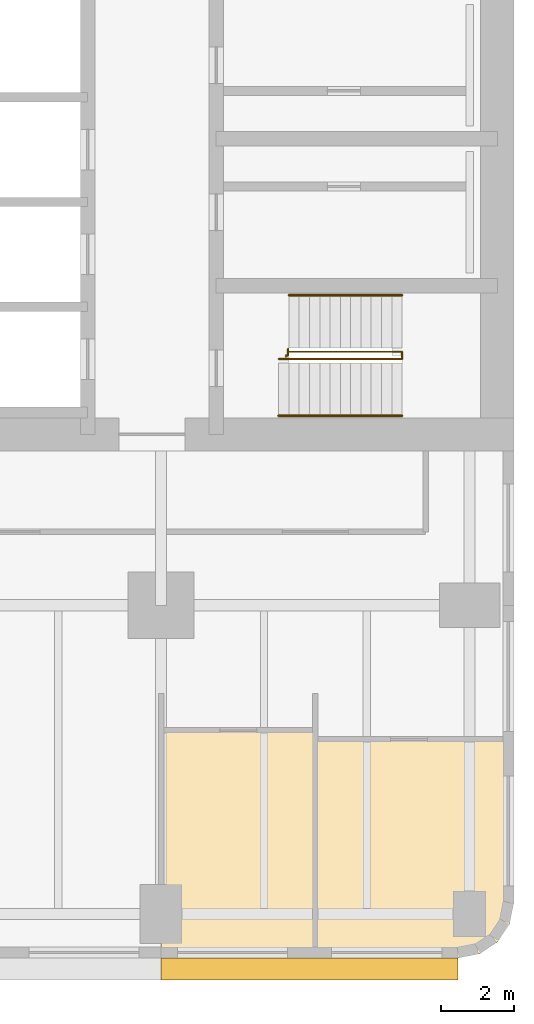
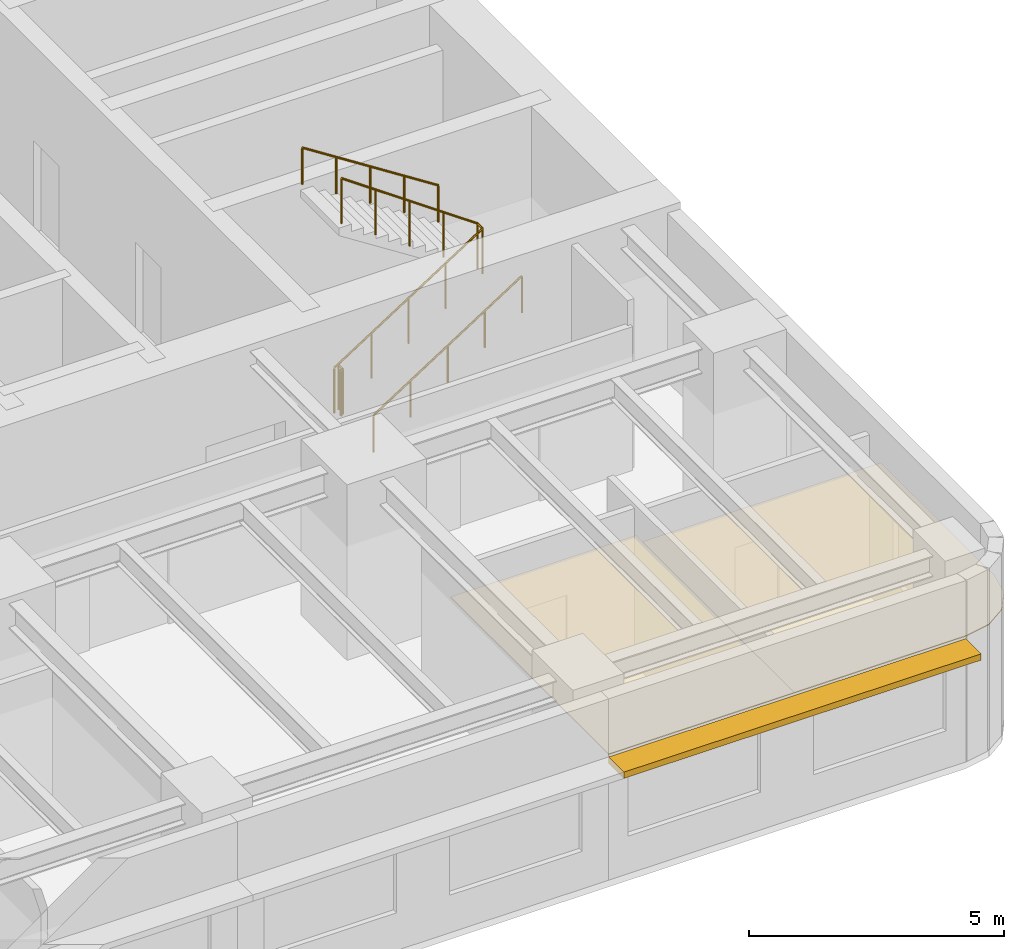
# One storey, part 11 of 14: 4 railings, 2 coverings, 1 shading device.
"""IFC4 building model written with IfcOpenShell, lengths in metres."""

import ifcopenshell
import ifcopenshell.guid

model = None  # the IFC model being written
_history = None  # IfcOwnerHistory: only IFC2X3 demands one
_inside = {}  # id of a spatial element -> (the spatial element, [elements in it])
_under = {}  # id of a project, library or spatial element -> (it, [spatial elements below it])
_declared = {}  # id of a project -> (the project, [libraries it declares])
_typed = {}  # id of a type object -> (the type object, [elements of that type])
_made_of = {}  # id of a material, layer set ... -> (it, [elements and type objects made of it])


def new_model(schema):
    """Start an empty IFC model of exactly this schema.

    Asked for "IFC4X3", IfcOpenShell would pick the latest addendum, in which some entities
    have other attributes; the version numbers below select the first issue.
    IFC2X3 requires an IfcOwnerHistory on every rooted entity: one is made here for all.
    """
    global model, _history
    if schema == "IFC4X3":
        model = ifcopenshell.file(schema_version=(4, 3, 0, 0))
    else:
        model = ifcopenshell.file(schema=schema)
    _inside.clear()
    _under.clear()
    _declared.clear()
    _typed.clear()
    _made_of.clear()
    _history = None
    if model.schema == "IFC2X3":
        org = make("IfcOrganization", Name="unknown")
        user = make(
            "IfcPersonAndOrganization",
            ThePerson=make("IfcPerson", FamilyName="unknown"),
            TheOrganization=org,
        )
        app = make(
            "IfcApplication",
            ApplicationDeveloper=org,
            Version="unknown",
            ApplicationFullName="unknown",
            ApplicationIdentifier="unknown",
        )
        _history = make(
            "IfcOwnerHistory",
            OwningUser=user,
            OwningApplication=app,
            ChangeAction="ADDED",
            CreationDate=0,
        )
    return model


def make(cls, **values):
    """One entity of the class cls with the attributes given. An attribute that is None is left unset."""
    return model.create_entity(
        cls, **{name: value for name, value in values.items() if value is not None}
    )


def rooted(cls, **values):
    """An entity with a GlobalId (a new one), such as an element, a storey or a relation."""
    return make(cls, GlobalId=ifcopenshell.guid.new(), OwnerHistory=_history, **values)


def si_unit(unit_type, name, prefix=None):
    """IfcSIUnit, for example si_unit("LENGTHUNIT", "METRE", prefix="MILLI")."""
    return make("IfcSIUnit", UnitType=unit_type, Prefix=prefix, Name=name)


def assignment(units):
    """IfcUnitAssignment: the units of a project."""
    return None if units is None else make("IfcUnitAssignment", Units=units)


def point(xyz):
    """IfcCartesianPoint."""
    return None if xyz is None else make("IfcCartesianPoint", Coordinates=xyz)


def direction(xyz):
    """IfcDirection."""
    return None if xyz is None else make("IfcDirection", DirectionRatios=xyz)


def frame(location, z_axis=None, x_axis=None):
    """IfcAxis2Placement3D, a coordinate frame: its origin and axes. An axis left out is left unset."""
    return make(
        "IfcAxis2Placement3D",
        Location=point(location),
        Axis=direction(z_axis),
        RefDirection=direction(x_axis),
    )


def frame_2d(location, x_axis=None):
    """IfcAxis2Placement2D, a coordinate frame in the plane: its origin and x axis."""
    return make(
        "IfcAxis2Placement2D", Location=point(location), RefDirection=direction(x_axis)
    )


def origin():
    """The frame at (0, 0, 0) with its axes left unset."""
    return frame((0.0, 0.0, 0.0))


def origin_2d():
    """The frame at (0, 0) in the plane with its x axis left unset."""
    return frame_2d((0.0, 0.0))


def place(relative_to, where):
    """IfcLocalPlacement: puts the frame where relative to a parent placement (None: the world)."""
    return make(
        "IfcLocalPlacement", PlacementRelTo=relative_to, RelativePlacement=where
    )


def context(
    kind, dimensions, precision=None, world=None, true_north=None, identifier=None
):
    """IfcGeometricRepresentationContext, for example the 3D "Model" context."""
    return make(
        "IfcGeometricRepresentationContext",
        ContextIdentifier=identifier,
        ContextType=kind,
        CoordinateSpaceDimension=dimensions,
        Precision=precision,
        WorldCoordinateSystem=world,
        TrueNorth=true_north,
    )


def subcontext(parent, identifier, kind, view, scale=None):
    """IfcGeometricRepresentationSubContext, for example "Body" below "Model"."""
    return make(
        "IfcGeometricRepresentationSubContext",
        ContextIdentifier=identifier,
        ContextType=kind,
        ParentContext=parent,
        TargetScale=scale,
        TargetView=view,
    )


def project(units=None, contexts=None):
    """IfcProject with its units and contexts."""
    return rooted(
        "IfcProject",
        Name="project",
        RepresentationContexts=contexts,
        UnitsInContext=assignment(units),
    )


def spatial(cls, under=None, at=None, **own):
    """A site, building, storey or space (cls), placed at a placement, below another one or the project."""
    s = rooted(cls, ObjectPlacement=at, **own)
    if under is not None:
        _under.setdefault(under.id(), (under, []))[1].append(s)
    return s


def polyline(points):
    """IfcPolyline through the points."""
    return make("IfcPolyline", Points=[point(p) for p in points])


def profile(cls, at=None, kind="AREA", **sizes):
    """A parametric profile (cls). Its sizes go by their IFC names, for example OverallWidth=200.0."""
    return make(cls, ProfileType=kind, Position=at, **sizes)


def rectangle(**sizes):
    """IfcRectangleProfileDef."""
    return profile("IfcRectangleProfileDef", **sizes)


def circle(**sizes):
    """IfcCircleProfileDef."""
    return profile("IfcCircleProfileDef", **sizes)


def outline(outer, holes=None, kind="AREA"):
    """IfcArbitraryClosedProfileDef: a profile drawn as a closed curve; with holes, ...WithVoids."""
    if holes is None:
        return make("IfcArbitraryClosedProfileDef", ProfileType=kind, OuterCurve=outer)
    return make(
        "IfcArbitraryProfileDefWithVoids",
        ProfileType=kind,
        OuterCurve=outer,
        InnerCurves=holes,
    )


def extrude(swept, where, along, depth):
    """IfcExtrudedAreaSolid: the profile swept, set in the frame where, extruded along a direction by depth."""
    return make(
        "IfcExtrudedAreaSolid",
        SweptArea=swept,
        Position=where,
        ExtrudedDirection=direction(along),
        Depth=depth,
    )


def shape(context_of_items, identifier, shape_type, items):
    """IfcShapeRepresentation: the items that make up one representation, for example the "Body"."""
    return make(
        "IfcShapeRepresentation",
        ContextOfItems=context_of_items,
        RepresentationIdentifier=identifier,
        RepresentationType=shape_type,
        Items=items,
    )


def material(Name=None, Category=None):
    """IfcMaterial."""
    return make("IfcMaterial", Name=Name, Category=Category)


def layer(
    of_material, thickness, ventilated=None, Name=None, Category=None, Priority=None
):
    """IfcMaterialLayer: one layer of a wall or slab, of a material (None: an air gap)."""
    return make(
        "IfcMaterialLayer",
        Material=of_material,
        LayerThickness=thickness,
        IsVentilated=ventilated,
        Name=Name,
        Category=Category,
        Priority=Priority,
    )


def layer_set(layers, Name=None):
    """IfcMaterialLayerSet."""
    return make("IfcMaterialLayerSet", MaterialLayers=layers, LayerSetName=Name)


def made_of(thing, what):
    """Note that an element or type object is made of a material, layer set ...; save() writes the relation."""
    if what is not None:
        _made_of.setdefault(what.id(), (what, []))[1].append(thing)
    return thing


def type_object(cls, material=None, **own):
    """A type object (cls), such as IfcWallType, which elements share."""
    return made_of(rooted(cls, **own), material)


def element(
    cls,
    number,
    at=None,
    inside=None,
    cuts=None,
    type_object=None,
    material=None,
    context=None,
    identifier="Body",
    shape_type=None,
    held_by="IfcProductDefinitionShape",
    body=None,
    shapes=None,
    **own,
):
    """One element of the class cls, such as IfcWall. Its Tag is "e" and its number.

    at: its placement. inside: the storey or other place that contains it. cuts: it is an
    opening in that element (IfcRelVoidsElement). A single representation is given by context,
    identifier, shape_type and body (its items); several are given by shapes. held_by: the class
    of the entity that holds the representations. save() writes the other relations.
    """
    e = rooted(cls, Tag="e%d" % number, ObjectPlacement=at, **own)
    if body is not None:
        shapes = [shape(context, identifier, shape_type, body)]
    if shapes is not None:
        e.Representation = make(held_by, Representations=shapes)
    if inside is not None:
        _inside.setdefault(inside.id(), (inside, []))[1].append(e)
    if cuts is not None:
        rooted(
            "IfcRelVoidsElement", RelatingBuildingElement=cuts, RelatedOpeningElement=e
        )
    if type_object is not None:
        _typed.setdefault(type_object.id(), (type_object, []))[1].append(e)
    return made_of(e, material)


def aggregate(whole, parts):
    """IfcRelAggregates: a whole, such as a stair, and the parts it consists of."""
    return rooted("IfcRelAggregates", RelatingObject=whole, RelatedObjects=parts)


def save(model, path):
    """Write the relations noted so far, then the file.

    IfcRelAggregates (storeys below a building ...), IfcRelContainedInSpatialStructure (elements
    in a storey), IfcRelDefinesByType, IfcRelAssociatesMaterial and IfcRelDeclares: one each for
    every whole, place, type object, material and project.
    """
    for whole, parts in _under.values():
        aggregate(whole, parts)
    for where, things in _inside.values():
        rooted(
            "IfcRelContainedInSpatialStructure",
            RelatedElements=things,
            RelatingStructure=where,
        )
    for kind, things in _typed.values():
        rooted("IfcRelDefinesByType", RelatedObjects=things, RelatingType=kind)
    for what, things in _made_of.values():
        rooted("IfcRelAssociatesMaterial", RelatedObjects=things, RelatingMaterial=what)
    for by, libraries in _declared.values():
        rooted("IfcRelDeclares", RelatingContext=by, RelatedDefinitions=libraries)
    model.write(path)


model = new_model("IFC4")

# Units and contexts
model_context = context("Model", 3, precision=1e-05, world=origin(), true_north=direction((0.0, 1.0)))
body_context = subcontext(model_context, "Body", "Model", "MODEL_VIEW")
ifc_project = project(units=[si_unit("LENGTHUNIT", "METRE"), si_unit("AREAUNIT", "SQUARE_METRE"), si_unit("VOLUMEUNIT", "CUBIC_METRE"), si_unit("PLANEANGLEUNIT", "RADIAN"), si_unit("MASSUNIT", "GRAM", prefix="KILO")], contexts=[model_context])

# Site, building, storey
site_placement = place(None, origin())
site = spatial("IfcSite", under=ifc_project, at=site_placement, CompositionType="ELEMENT")
building_placement = place(site_placement, origin())
building = spatial("IfcBuilding", under=site, at=building_placement, Name="Claustro Exchange Tower", CompositionType="ELEMENT")
storey_placement = place(building_placement, frame((0.0, 0.0, 54.89990234375)))
storey = spatial("IfcBuildingStorey", under=building, at=storey_placement, Name="L12", CompositionType="ELEMENT", Elevation=54.89990234375)

# Coverings
ifc_material_1 = material(Name="Gypsum board ceiling", Category="gypsum board")
ifc_layer_1 = layer(ifc_material_1, 0.02490234375)
ifc_layer_set_1 = layer_set([ifc_layer_1], Name="Gypsum board ceiling")
covering_type = type_object("IfcCoveringType", Name="CL2 plasterboard ceiling", PredefinedType="CEILING", material=ifc_layer_set_1)
covering_1_placement = place(storey_placement, frame((0.0, 0.0, 3.0)))
element("IfcCovering", 1, at=covering_1_placement, inside=storey, type_object=covering_type, Name="Ceiling CL2 L12-01", PredefinedType="CEILING", context=body_context, shape_type="SweptSolid", body=[
    extrude(outline(polyline([(51.60009765625, 0.300048828125), (51.60009765625, 4.75), (46.199951171875, 4.75), (46.199951171875, -1.199951171875), (50.10009765625, -1.199951171875), (50.674072265625, -1.085693359375), (51.16064453125, -0.7607421875), (51.48583984375, -0.27392578125), (51.60009765625, 0.300048828125)])), origin(), (0.0, 0.0, 1.0), 0.025146484375),
])
covering_2_placement = place(storey_placement, frame((0.0, 0.0, 3.0)))
element("IfcCovering", 2, at=covering_2_placement, inside=storey, type_object=covering_type, Name="Ceiling CL2 L12-02", PredefinedType="CEILING", context=body_context, shape_type="SweptSolid", body=[
    extrude(outline(polyline([(42.0, -1.199951171875), (46.199951171875, -1.199951171875), (46.199951171875, 5.0), (42.0, 5.0), (42.0, -1.199951171875)])), origin(), (0.0, 0.0, 1.0), 0.025146484375),
])

# Railings
ifc_material_2 = material(Name="Steel balustrade, painted", Category="steel")
railing_type_1 = type_object("IfcRailingType", Name="GR2 1100 steel stair guard", PredefinedType="GUARDRAIL", material=ifc_material_2)
railing_1_placement = place(storey_placement, frame((45.199951171875, 15.10009765625, 0.18017578125)))
element("IfcRailing", 3, at=railing_1_placement, inside=storey, type_object=railing_type_1, Name="Stair well guard GR2 stair STEA L12", PredefinedType="GUARDRAIL", context=body_context, shape_type="SweptSolid", body=[
    extrude(circle(Radius=0.02392578125, at=origin_2d()), frame((0.0, 0.0, 1.076171875), z_axis=(0.84119634759, 0.0, 0.540729789082), x_axis=(0.0, 1.0, 0.0)), (0.0, 0.0, 1.0), 3.994384765625),
    extrude(circle(Radius=0.02392578125, at=origin_2d()), frame((3.360107421875, 0.0, 3.23583984375), z_axis=(0.0, 1.0, 0.0), x_axis=(-1.0, 0.0, 0.0)), (0.0, 0.0, 1.0), 0.199951171875),
    extrude(circle(Radius=0.02392578125, at=origin_2d()), frame((3.360107421875, 0.199951171875, 3.23583984375), z_axis=(-0.8187499073, 0.0, 0.574150319426), x_axis=(0.0, -1.0, 0.0)), (0.0, 0.0, 1.0), 3.761962890625),
    extrude(circle(Radius=0.02099609375, at=origin_2d()), origin(), (0.0, 0.0, 1.0), 1.052001953125),
    extrude(circle(Radius=0.02099609375, at=origin_2d()), frame((0.840087890625, 0.0, 0.5400390625)), (0.0, 0.0, 1.0), 1.052001953125),
    extrude(circle(Radius=0.02099609375, at=origin_2d()), frame((1.68017578125, 0.0, 1.080078125)), (0.0, 0.0, 1.0), 1.052001953125),
    extrude(circle(Radius=0.02099609375, at=origin_2d()), frame((2.52001953125, 0.0, 1.619873046875)), (0.0, 0.0, 1.0), 1.052001953125),
    extrude(circle(Radius=0.02099609375, at=origin_2d()), frame((3.360107421875, 0.0, 2.159912109375)), (0.0, 0.0, 1.0), 1.052001953125),
    extrude(circle(Radius=0.02099609375, at=origin_2d()), frame((3.360107421875, 0.199951171875, 2.159912109375)), (0.0, 0.0, 1.0), 1.052001953125),
    extrude(circle(Radius=0.02099609375, at=origin_2d()), frame((2.590087890625, 0.199951171875, 2.699951171875)), (0.0, 0.0, 1.0), 1.052001953125),
    extrude(circle(Radius=0.02099609375, at=origin_2d()), frame((1.820068359375, 0.199951171875, 3.23974609375)), (0.0, 0.0, 1.0), 1.052001953125),
    extrude(circle(Radius=0.02099609375, at=origin_2d()), frame((1.050048828125, 0.199951171875, 3.77978515625)), (0.0, 0.0, 1.0), 1.052001953125),
    extrude(circle(Radius=0.02099609375, at=origin_2d()), frame((0.280029296875, 0.199951171875, 4.31982421875)), (0.0, 0.0, 1.0), 1.052001953125),
])
railing_2_placement = place(storey_placement, frame((45.39990234375, 15.169921875, 0.0)))
element("IfcRailing", 4, at=railing_2_placement, inside=storey, type_object=railing_type_1, Name="Stair guard GR2 STEA L12", PredefinedType="GUARDRAIL", context=body_context, shape_type="SweptSolid", body=[
    extrude(circle(Radius=0.02392578125, at=origin_2d()), frame((0.0, 0.0, 1.076171875), z_axis=(0.0, 1.0, 0.0), x_axis=(-1.0, 0.0, 0.0)), (0.0, 0.0, 1.0), 0.030029296875),
    extrude(circle(Radius=0.02392578125, at=origin_2d()), frame((0.0, 0.030029296875, 1.076171875), z_axis=(1.0, 0.0, 0.0), x_axis=(0.0, 1.0, 0.0)), (0.0, 0.0, 1.0), 0.05517578125),
    extrude(circle(Radius=0.02392578125, at=origin_2d()), frame((0.05517578125, 0.030029296875, 1.076171875), z_axis=(0.0, 1.0, 0.0), x_axis=(-1.0, 0.0, 0.0)), (0.0, 0.0, 1.0), 0.179931640625),
    extrude(circle(Radius=0.02099609375, at=origin_2d()), origin(), (0.0, 0.0, 1.0), 1.052001953125),
    extrude(circle(Radius=0.02099609375, at=origin_2d()), frame((0.0, 0.030029296875, 0.0)), (0.0, 0.0, 1.0), 1.052001953125),
    extrude(circle(Radius=0.02099609375, at=origin_2d()), frame((0.05517578125, 0.030029296875, 0.0)), (0.0, 0.0, 1.0), 1.052001953125),
    extrude(circle(Radius=0.02099609375, at=origin_2d()), frame((0.05517578125, 0.2099609375, 0.0)), (0.0, 0.0, 1.0), 1.052001953125),
])
ifc_material_3 = material(Name="Stainless steel tube", Category="steel")
railing_type_2 = type_object("IfcRailingType", Name="HR1 900 stair handrail", PredefinedType="HANDRAIL", material=ifc_material_3)
railing_3_placement = place(storey_placement, frame((45.199951171875, 13.56005859375, 0.18017578125)))
element("IfcRailing", 5, at=railing_3_placement, inside=storey, type_object=railing_type_2, Name="Handrail HR1 stair STEA L12", PredefinedType="HANDRAIL", context=body_context, shape_type="SweptSolid", body=[
    extrude(circle(Radius=0.02392578125, at=origin_2d()), frame((0.0, 0.0, 0.8759765625), z_axis=(0.84119634759, 0.0, 0.540729789082), x_axis=(0.0, 1.0, 0.0)), (0.0, 0.0, 1.0), 3.994384765625),
    extrude(circle(Radius=0.02099609375, at=origin_2d()), origin(), (0.0, 0.0, 1.0), 0.851806640625),
    extrude(circle(Radius=0.02099609375, at=origin_2d()), frame((0.840087890625, 0.0, 0.5400390625)), (0.0, 0.0, 1.0), 0.851806640625),
    extrude(circle(Radius=0.02099609375, at=origin_2d()), frame((1.68017578125, 0.0, 1.080078125)), (0.0, 0.0, 1.0), 0.851806640625),
    extrude(circle(Radius=0.02099609375, at=origin_2d()), frame((2.52001953125, 0.0, 1.619873046875)), (0.0, 0.0, 1.0), 0.851806640625),
    extrude(circle(Radius=0.02099609375, at=origin_2d()), frame((3.360107421875, 0.0, 2.159912109375)), (0.0, 0.0, 1.0), 0.851806640625),
])
railing_4_placement = place(storey_placement, frame((48.56005859375, 16.840087890625, 2.52001953125)))
element("IfcRailing", 6, at=railing_4_placement, inside=storey, type_object=railing_type_2, Name="Handrail HR1 stair STEA L12", PredefinedType="HANDRAIL", context=body_context, shape_type="SweptSolid", body=[
    extrude(circle(Radius=0.02392578125, at=origin_2d()), frame((0.0, 0.0, 0.8759765625), z_axis=(-0.84118714077, 0.0, 0.540744111576), x_axis=(0.0, -1.0, 0.0)), (0.0, 0.0, 1.0), 3.66162109375),
    extrude(circle(Radius=0.02099609375, at=origin_2d()), origin(), (0.0, 0.0, 1.0), 0.851806640625),
    extrude(circle(Radius=0.02099609375, at=origin_2d()), frame((-0.77001953125, 0.0, 0.4951171875)), (0.0, 0.0, 1.0), 0.851806640625),
    extrude(circle(Radius=0.02099609375, at=origin_2d()), frame((-1.5400390625, 0.0, 0.989990234375)), (0.0, 0.0, 1.0), 0.851806640625),
    extrude(circle(Radius=0.02099609375, at=origin_2d()), frame((-2.31005859375, 0.0, 1.48486328125)), (0.0, 0.0, 1.0), 0.851806640625),
    extrude(circle(Radius=0.02099609375, at=origin_2d()), frame((-3.080078125, 0.0, 1.97998046875)), (0.0, 0.0, 1.0), 0.851806640625),
])

# Shading device
ifc_material_4 = material(Name="Concrete HA-40 (C40/50), precast, white cement, acid-etched", Category="concrete")
ifc_layer_2 = layer(ifc_material_4, 0.14990234375)
ifc_layer_set_2 = layer_set([ifc_layer_2], Name="Concrete HA-40 (C40/50), precast, white cement, acid-etched")
shading_device_type = type_object("IfcShadingDeviceType", Name="SS1 600 precast concrete SUNSHADE", PredefinedType="SHUTTER", material=ifc_layer_set_2)
shading_device_placement = place(storey_placement, frame((46.04248046875, -1.5, 2.800048828125), z_axis=(0.0, 0.0, 1.0), x_axis=(-1.0, 0.0, 0.0)))
element("IfcShadingDevice", 7, at=shading_device_placement, inside=storey, type_object=shading_device_type, Name="Precast SUNSHADE SS1 L12", PredefinedType="SHUTTER", context=body_context, shape_type="SweptSolid", body=[
    extrude(rectangle(XDim=8.085205078125, YDim=0.60009765625, at=origin_2d()), origin(), (0.0, 0.0, 1.0), 0.14990234375),
])

save(model, "model.ifc")
